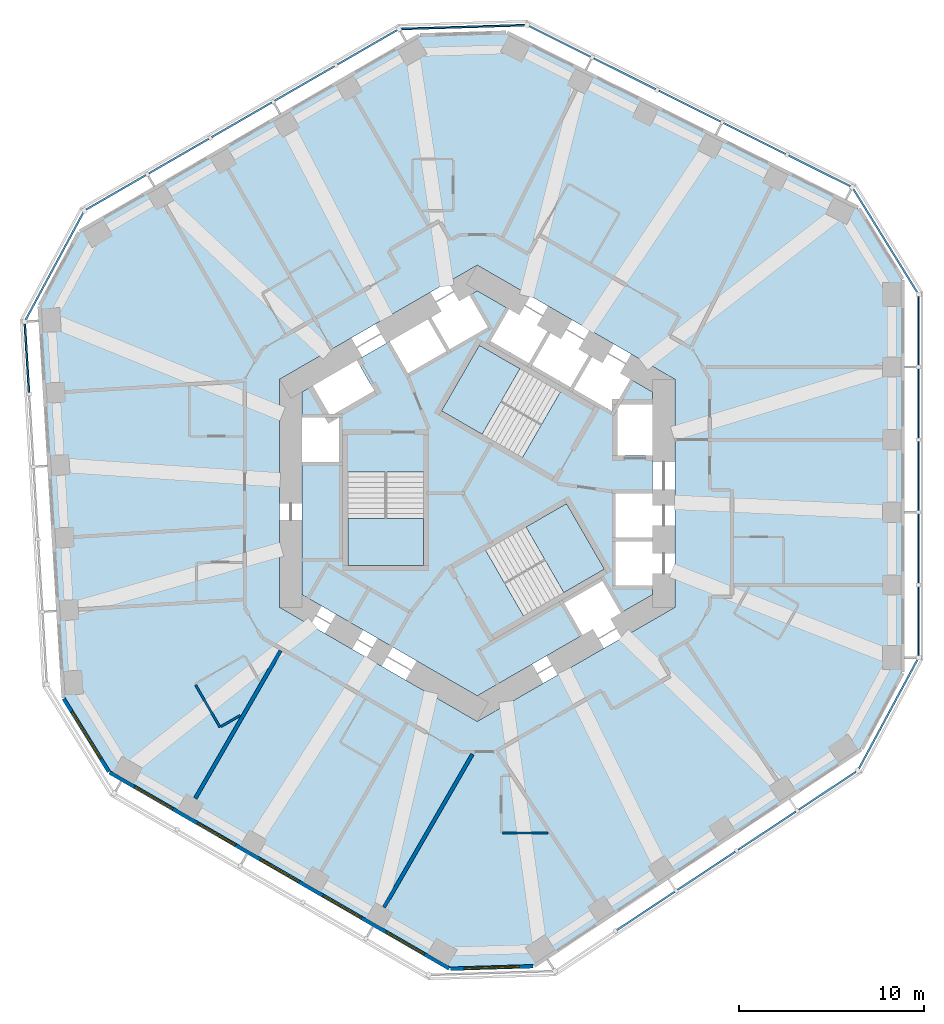
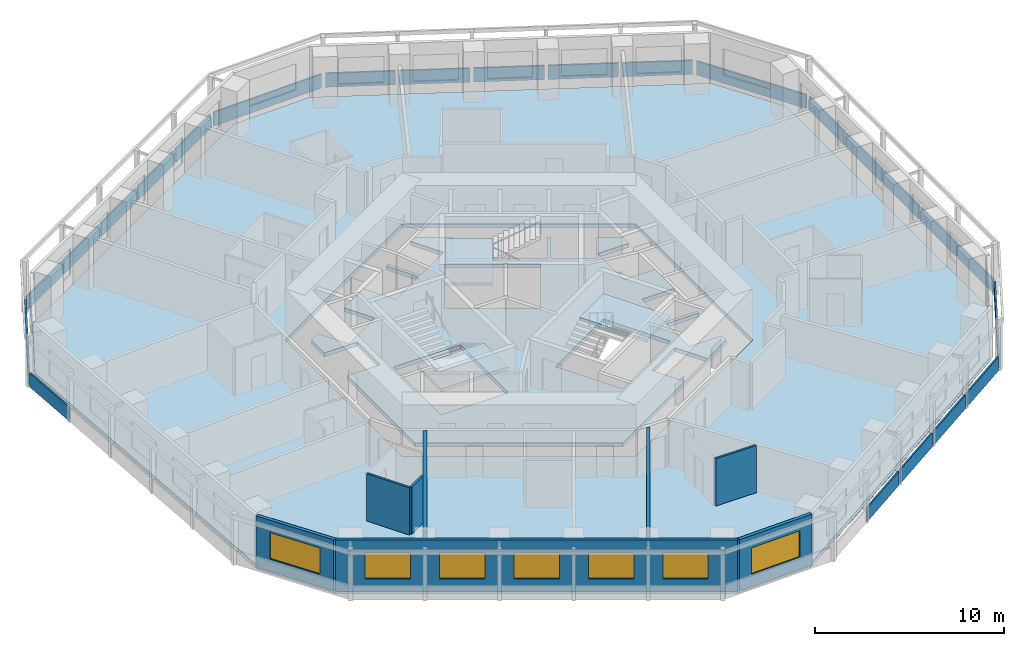
# One storey, part 3 of 12: 24 plates, 8 walls, 7 windows, 5 slabs, 7 openings, 12 elements without a shape of their own.
"""IFC4 building model written with IfcOpenShell, lengths in metres."""

from ifc_helpers import new_model, si_unit, direction, frame, frame_2d, origin, origin_2d, place, context, subcontext, project, spatial, polyline, rectangle, outline, extrude, material, layer, layer_set, type_object, element, fill, aggregate, save


model = new_model("IFC4")

# Units and contexts
model_context = context("Model", 3, precision=1e-05, world=origin(), true_north=direction((0.0, 1.0)))
body_context = subcontext(model_context, "Body", "Model", "MODEL_VIEW")
ifc_project = project(units=[si_unit("LENGTHUNIT", "METRE"), si_unit("AREAUNIT", "SQUARE_METRE"), si_unit("VOLUMEUNIT", "CUBIC_METRE"), si_unit("PLANEANGLEUNIT", "RADIAN"), si_unit("MASSUNIT", "GRAM", prefix="KILO")], contexts=[model_context])

# Site, building, storey
site_placement = place(None, origin())
site = spatial("IfcSite", under=ifc_project, at=site_placement, CompositionType="ELEMENT")
building_placement = place(site_placement, origin())
building = spatial("IfcBuilding", under=site, at=building_placement, Name="Vanh Sen Convention Tower", CompositionType="ELEMENT")
storey_placement = place(building_placement, frame((0.0, 0.0, 103.39990234375)))
storey = spatial("IfcBuildingStorey", under=building, at=storey_placement, Name="L24", CompositionType="ELEMENT", Elevation=103.39990234375)

# Slabs
ifc_material_1 = material(Name="Concrete C40/50", Category="concrete")
ifc_layer_1 = layer(ifc_material_1, 0.25)
ifc_layer_set_1 = layer_set([ifc_layer_1], Name="Concrete C40/50")
slab_type_1 = type_object("IfcSlabType", Name="Core slab 250", PredefinedType="FLOOR", material=ifc_layer_set_1)
slab_1_placement = place(storey_placement, frame((0.0, 0.0, -0.25)))
element("IfcSlab", 1, at=slab_1_placement, inside=storey, type_object=slab_type_1, Name="Core slab L24", PredefinedType="FLOOR", context=body_context, shape_type="SweptSolid", body=[
    extrude(outline(polyline([(9.5, 5.48486328125), (9.5, 4.800048828125), (7.60009765625, 4.800048828125), (7.60009765625, 2.050048828125), (9.5, 2.050048828125), (9.5, 0.0), (7.5, 0.0), (7.5, -2.39990234375), (9.5, -2.39990234375), (9.5, -2.60009765625), (7.5, -2.60009765625), (7.5, -5.0), (9.5, -5.0), (9.5, -5.48486328125), (0.0, -10.9697265625), (-9.5, -5.48486328125), (-9.5, 1.699951171875), (-7.5, 1.699951171875), (-7.5, 4.10009765625), (-9.5, 4.10009765625), (-9.5, 5.48486328125), (-8.906982421875, 5.8271484375), (-7.956787109375, 4.181884765625), (-5.575439453125, 5.556884765625), (-6.525390625, 7.2021484375), (-4.75, 8.227294921875), (-3.75, 6.4951171875), (-1.67138671875, 7.6953125), (-2.67138671875, 9.42724609375), (-2.498291015625, 9.527099609375), (-1.498291015625, 7.795166015625), (0.580078125, 8.9951171875), (-0.419921875, 10.727294921875), (0.0, 10.9697265625), (1.718994140625, 9.977294921875), (0.718994140625, 8.2451171875), (2.79736328125, 7.045166015625), (3.79736328125, 8.777099609375), (3.970703125, 8.67724609375), (2.970703125, 6.9453125), (5.049072265625, 5.7451171875), (6.049072265625, 7.477294921875), (6.22216796875, 7.377197265625), (5.22216796875, 5.645263671875), (7.30078125, 4.4453125), (8.30078125, 6.17724609375), (9.5, 5.48486328125)]), holes=[polyline([(-7.0, 3.14990234375), (-7.0, -3.909912109375), (-2.89990234375, -3.909912109375), (-2.89990234375, 3.14990234375), (-2.89990234375, 1.1494140625), (-7.0, 1.1494140625), (-7.0, 3.14990234375)]), polyline([(4.495361328125, 5.487548828125), (6.22802734375, 4.4873046875), (0.11376953125, 8.01708984375), (-1.936279296875, 4.466552734375), (2.4453125, 1.936767578125), (4.495361328125, 5.487548828125)]), polyline([(7.781005859375, -6.477294921875), (6.781005859375, -4.7451171875), (4.70263671875, -5.9453125), (5.70263671875, -7.67724609375), (7.781005859375, -6.477294921875)]), polyline([(0.45458984375, -3.086181640625), (2.504638671875, -6.63671875), (6.88623046875, -4.107177734375), (4.836181640625, -0.556396484375), (-1.278076171875, -4.08642578125), (0.45458984375, -3.086181640625)])]), origin(), (0.0, 0.0, 1.0), 0.25),
])
ifc_layer_2 = layer(ifc_material_1, 0.25)
ifc_layer_set_2 = layer_set([ifc_layer_2], Name="Concrete C40/50")
slab_type_2 = type_object("IfcSlabType", Name="Floor slab 250 REI 120", PredefinedType="FLOOR", material=ifc_layer_set_2)
slab_2_placement = place(storey_placement, frame((0.0, 0.0, -0.25)))
element("IfcSlab", 2, at=slab_2_placement, inside=storey, type_object=slab_type_2, Name="Floor slab L24 tower", PredefinedType="FLOOR", context=body_context, shape_type="SweptSolid", body=[
    extrude(outline(polyline([(23.0, -9.69921875), (23.0, 11.57373046875), (20.620361328125, 15.419189453125), (1.58251953125, 24.911376953125), (-3.10009765625, 24.768310546875), (-21.523193359375, 14.131591796875), (-23.663818359375, 10.14794921875), (-22.364990234375, -11.085205078125), (-19.89990234375, -15.069091796875), (-1.476806640625, -25.705322265625), (3.04345703125, -25.5673828125), (20.78271484375, -13.825927734375), (23.0, -9.69921875)]), holes=[polyline([(0.0, 12.355224609375), (-10.699951171875, 6.177490234375), (-10.699951171875, -6.177490234375), (0.0, -12.355224609375), (10.699951171875, -6.177490234375), (10.699951171875, 6.177490234375), (0.0, 12.355224609375)])]), origin(), (0.0, 0.0, 1.0), 0.25),
])

# Curtain wall, plates
ifc_material_2 = material(Name="Concrete C50/60", Category="concrete")
curtain_wall_type = type_object("IfcCurtainWallType", Name="Outer skin hotel zone", PredefinedType="NOTDEFINED", material=ifc_material_2)
curtain_wall_1_placement = place(storey_placement, origin())
curtain_wall_1 = element("IfcCurtainWall", 3, at=curtain_wall_1_placement, inside=storey, type_object=curtain_wall_type, Name="OUTER SKIN E L24", PredefinedType="NOTDEFINED")
ifc_layer_3 = layer(ifc_material_2, 0.10009765625)
ifc_layer_set_3 = layer_set([ifc_layer_3], Name="Concrete C50/60")
plate_type = type_object("IfcPlateType", Name="Outer skin precast screen panel 100", PredefinedType="CURTAIN_PANEL", material=ifc_layer_set_3)
plate_1_placement = place(storey_placement, frame((23.89990234375, -6.91943359375, 0.000244140625), z_axis=(0.0, 0.0, 1.0), x_axis=(0.0, 1.0, 0.0)))
plate_1 = element("IfcPlate", 4, at=plate_1_placement, type_object=plate_type, Name="OUTER SKIN screen panel E-1", PredefinedType="CURTAIN_PANEL", context=body_context, shape_type="SweptSolid", body=[
    extrude(rectangle(XDim=3.709716796875, YDim=0.10009765625, at=origin_2d()), origin(), (0.0, 0.0, 1.0), 0.89990234375),
])
plate_2_placement = place(storey_placement, frame((23.89990234375, -2.997314453125, 0.000244140625), z_axis=(0.0, 0.0, 1.0), x_axis=(0.0, 1.0, 0.0)))
plate_2 = element("IfcPlate", 5, at=plate_2_placement, type_object=plate_type, Name="OUTER SKIN screen panel E-2", PredefinedType="CURTAIN_PANEL", context=body_context, shape_type="SweptSolid", body=[
    extrude(rectangle(XDim=3.734619140625, YDim=0.10009765625, at=origin_2d()), origin(), (0.0, 0.0, 1.0), 0.89990234375),
])
plate_3_placement = place(storey_placement, frame((23.89990234375, 0.937255859375, 0.000244140625), z_axis=(0.0, 0.0, 1.0), x_axis=(0.0, 1.0, 0.0)))
plate_3 = element("IfcPlate", 6, at=plate_3_placement, type_object=plate_type, Name="OUTER SKIN screen panel E-3", PredefinedType="CURTAIN_PANEL", context=body_context, shape_type="SweptSolid", body=[
    extrude(rectangle(XDim=3.734619140625, YDim=0.10009765625, at=origin_2d()), origin(), (0.0, 0.0, 1.0), 0.89990234375),
])
plate_4_placement = place(storey_placement, frame((23.89990234375, 4.871826171875, 0.000244140625), z_axis=(0.0, 0.0, 1.0), x_axis=(0.0, 1.0, 0.0)))
plate_4 = element("IfcPlate", 7, at=plate_4_placement, type_object=plate_type, Name="OUTER SKIN screen panel E-4", PredefinedType="CURTAIN_PANEL", context=body_context, shape_type="SweptSolid", body=[
    extrude(rectangle(XDim=3.734619140625, YDim=0.10009765625, at=origin_2d()), origin(), (0.0, 0.0, 1.0), 0.89990234375),
])
plate_5_placement = place(storey_placement, frame((23.89990234375, 8.7939453125, 0.000244140625), z_axis=(0.0, 0.0, 1.0), x_axis=(0.0, 1.0, 0.0)))
plate_5 = element("IfcPlate", 8, at=plate_5_placement, type_object=plate_type, Name="OUTER SKIN screen panel E-5", PredefinedType="CURTAIN_PANEL", context=body_context, shape_type="SweptSolid", body=[
    extrude(rectangle(XDim=3.709716796875, YDim=0.10009765625, at=origin_2d()), origin(), (0.0, 0.0, 1.0), 0.89990234375),
])
aggregate(curtain_wall_1, [plate_1, plate_2, plate_3, plate_4, plate_5])

# Curtain wall, plate
curtain_wall_2_placement = place(storey_placement, origin())
curtain_wall_2 = element("IfcCurtainWall", 9, at=curtain_wall_2_placement, inside=storey, type_object=curtain_wall_type, Name="OUTER SKIN CH1 L24", PredefinedType="NOTDEFINED")
plate_6_placement = place(storey_placement, frame((22.102783203125, 13.677734375, 0.000244140625), z_axis=(0.0, 0.0, 1.0), x_axis=(-0.526212439506, 0.850353143411, 0.0)))
plate_6 = element("IfcPlate", 10, at=plate_6_placement, type_object=plate_type, Name="OUTER SKIN screen panel CH1-1", PredefinedType="CURTAIN_PANEL", context=body_context, shape_type="SweptSolid", body=[
    extrude(rectangle(XDim=6.580078125, YDim=0.10009765625, at=origin_2d()), origin(), (0.0, 0.0, 1.0), 0.89990234375),
])
aggregate(curtain_wall_2, [plate_6])

# Curtain wall, plates
curtain_wall_3_placement = place(storey_placement, origin())
curtain_wall_3 = element("IfcCurtainWall", 11, at=curtain_wall_3_placement, inside=storey, type_object=curtain_wall_type, Name="OUTER SKIN NE L24", PredefinedType="NOTDEFINED")
plate_7_placement = place(storey_placement, frame((18.5341796875, 17.465087890625, 0.000244140625), z_axis=(0.0, 0.0, 1.0), x_axis=(-0.894935140363, 0.446196251154, 0.0)))
plate_7 = element("IfcPlate", 12, at=plate_7_placement, type_object=plate_type, Name="OUTER SKIN screen panel NE-1", PredefinedType="CURTAIN_PANEL", context=body_context, shape_type="SweptSolid", body=[
    extrude(rectangle(XDim=3.709716796875, YDim=0.10009765625, at=origin_2d()), origin(), (0.0, 0.0, 1.0), 0.89990234375),
])
plate_8_placement = place(storey_placement, frame((15.024169921875, 19.215087890625, 0.000244140625), z_axis=(0.0, 0.0, 1.0), x_axis=(-0.894935140363, 0.446196251154, 0.0)))
plate_8 = element("IfcPlate", 13, at=plate_8_placement, type_object=plate_type, Name="OUTER SKIN screen panel NE-2", PredefinedType="CURTAIN_PANEL", context=body_context, shape_type="SweptSolid", body=[
    extrude(rectangle(XDim=3.734619140625, YDim=0.10009765625, at=origin_2d()), origin(), (0.0, 0.0, 1.0), 0.89990234375),
])
plate_9_placement = place(storey_placement, frame((11.5029296875, 20.970703125, 0.000244140625), z_axis=(0.0, 0.0, 1.0), x_axis=(-0.894935140363, 0.446196251154, 0.0)))
plate_9 = element("IfcPlate", 14, at=plate_9_placement, type_object=plate_type, Name="OUTER SKIN screen panel NE-3", PredefinedType="CURTAIN_PANEL", context=body_context, shape_type="SweptSolid", body=[
    extrude(rectangle(XDim=3.734619140625, YDim=0.10009765625, at=origin_2d()), origin(), (0.0, 0.0, 1.0), 0.89990234375),
])
plate_10_placement = place(storey_placement, frame((7.981689453125, 22.726318359375, 0.000244140625), z_axis=(0.0, 0.0, 1.0), x_axis=(-0.894935140363, 0.446196251154, 0.0)))
plate_10 = element("IfcPlate", 15, at=plate_10_placement, type_object=plate_type, Name="OUTER SKIN screen panel NE-4", PredefinedType="CURTAIN_PANEL", context=body_context, shape_type="SweptSolid", body=[
    extrude(rectangle(XDim=3.734619140625, YDim=0.10009765625, at=origin_2d()), origin(), (0.0, 0.0, 1.0), 0.89990234375),
])
plate_11_placement = place(storey_placement, frame((4.4716796875, 24.476318359375, 0.000244140625), z_axis=(0.0, 0.0, 1.0), x_axis=(-0.894935140363, 0.446196251154, 0.0)))
plate_11 = element("IfcPlate", 16, at=plate_11_placement, type_object=plate_type, Name="OUTER SKIN screen panel NE-5", PredefinedType="CURTAIN_PANEL", context=body_context, shape_type="SweptSolid", body=[
    extrude(rectangle(XDim=3.709716796875, YDim=0.10009765625, at=origin_2d()), origin(), (0.0, 0.0, 1.0), 0.89990234375),
])
aggregate(curtain_wall_3, [plate_7, plate_8, plate_9, plate_10, plate_11])

# Curtain wall, plate
curtain_wall_4_placement = place(storey_placement, origin())
curtain_wall_4 = element("IfcCurtainWall", 17, at=curtain_wall_4_placement, inside=storey, type_object=curtain_wall_type, Name="OUTER SKIN CH2 L24", PredefinedType="NOTDEFINED")
plate_12_placement = place(storey_placement, frame((-0.771484375, 25.253662109375, 0.000244140625), z_axis=(0.0, 0.0, 1.0), x_axis=(-0.999533644135, -0.030536768695, 0.0)))
plate_12 = element("IfcPlate", 18, at=plate_12_placement, type_object=plate_type, Name="OUTER SKIN screen panel CH2-1", PredefinedType="CURTAIN_PANEL", context=body_context, shape_type="SweptSolid", body=[
    extrude(rectangle(XDim=6.696044921875, YDim=0.10009765625, at=origin_2d()), origin(), (0.0, 0.0, 1.0), 0.89990234375),
])
aggregate(curtain_wall_4, [plate_12])

# Curtain wall, plates
curtain_wall_5_placement = place(storey_placement, origin())
curtain_wall_5 = element("IfcCurtainWall", 19, at=curtain_wall_5_placement, inside=storey, type_object=curtain_wall_type, Name="OUTER SKIN NW L24", PredefinedType="NOTDEFINED")
plate_13_placement = place(storey_placement, frame((-5.95751953125, 24.15771484375, 0.000244140625), z_axis=(0.0, 0.0, 1.0), x_axis=(-0.866028021766, -0.499995465495, 0.0)))
plate_13 = element("IfcPlate", 20, at=plate_13_placement, type_object=plate_type, Name="OUTER SKIN screen panel NW-1", PredefinedType="CURTAIN_PANEL", context=body_context, shape_type="SweptSolid", body=[
    extrude(rectangle(XDim=3.709716796875, YDim=0.10009765625, at=origin_2d()), origin(), (0.0, 0.0, 1.0), 0.89990234375),
])
plate_14_placement = place(storey_placement, frame((-9.354248046875, 22.19677734375, 0.000244140625), z_axis=(0.0, 0.0, 1.0), x_axis=(-0.866021040428, -0.500007557478, 0.0)))
plate_14 = element("IfcPlate", 21, at=plate_14_placement, type_object=plate_type, Name="OUTER SKIN screen panel NW-2", PredefinedType="CURTAIN_PANEL", context=body_context, shape_type="SweptSolid", body=[
    extrude(rectangle(XDim=3.734619140625, YDim=0.10009765625, at=origin_2d()), origin(), (0.0, 0.0, 1.0), 0.89990234375),
])
plate_15_placement = place(storey_placement, frame((-12.76171875, 20.2294921875, 0.000244140625), z_axis=(0.0, 0.0, 1.0), x_axis=(-0.866028021766, -0.499995465495, 0.0)))
plate_15 = element("IfcPlate", 22, at=plate_15_placement, type_object=plate_type, Name="OUTER SKIN screen panel NW-3", PredefinedType="CURTAIN_PANEL", context=body_context, shape_type="SweptSolid", body=[
    extrude(rectangle(XDim=3.734619140625, YDim=0.10009765625, at=origin_2d()), origin(), (0.0, 0.0, 1.0), 0.89990234375),
])
plate_16_placement = place(storey_placement, frame((-16.169189453125, 18.26220703125, 0.000244140625), z_axis=(0.0, 0.0, 1.0), x_axis=(-0.866028021766, -0.499995465495, 0.0)))
plate_16 = element("IfcPlate", 23, at=plate_16_placement, type_object=plate_type, Name="OUTER SKIN screen panel NW-4", PredefinedType="CURTAIN_PANEL", context=body_context, shape_type="SweptSolid", body=[
    extrude(rectangle(XDim=3.734619140625, YDim=0.10009765625, at=origin_2d()), origin(), (0.0, 0.0, 1.0), 0.89990234375),
])
plate_17_placement = place(storey_placement, frame((-19.56591796875, 16.301025390625, 0.000244140625), z_axis=(0.0, 0.0, 1.0), x_axis=(-0.866021040428, -0.500007557478, 0.0)))
plate_17 = element("IfcPlate", 24, at=plate_17_placement, type_object=plate_type, Name="OUTER SKIN screen panel NW-5", PredefinedType="CURTAIN_PANEL", context=body_context, shape_type="SweptSolid", body=[
    extrude(rectangle(XDim=3.70947265625, YDim=0.10009765625, at=origin_2d()), origin(), (0.0, 0.0, 1.0), 0.89990234375),
])
aggregate(curtain_wall_5, [plate_13, plate_14, plate_15, plate_16, plate_17])

# Curtain wall, plate
curtain_wall_6_placement = place(storey_placement, origin())
curtain_wall_6 = element("IfcCurtainWall", 25, at=curtain_wall_6_placement, inside=storey, type_object=curtain_wall_type, Name="OUTER SKIN CH3 L24", PredefinedType="NOTDEFINED")
plate_18_placement = place(storey_placement, frame((-22.896728515625, 12.302978515625, 0.000244140625), z_axis=(0.0, 0.0, 1.0), x_axis=(-0.47331812974, -0.880891564303, 0.0)))
plate_18 = element("IfcPlate", 26, at=plate_18_placement, type_object=plate_type, Name="OUTER SKIN screen panel CH3-1", PredefinedType="CURTAIN_PANEL", context=body_context, shape_type="SweptSolid", body=[
    extrude(rectangle(XDim=6.580078125, YDim=0.10009765625, at=origin_2d()), origin(), (0.0, 0.0, 1.0), 0.89990234375),
])
aggregate(curtain_wall_6, [plate_18])

curtain_wall_7_placement = place(storey_placement, origin())
curtain_wall_7 = element("IfcCurtainWall", 27, at=curtain_wall_7_placement, inside=storey, type_object=curtain_wall_type, Name="OUTER SKIN W L24", PredefinedType="NOTDEFINED")
plate_19_placement = place(storey_placement, frame((-24.39208984375, 7.318603515625, 0.000244140625), z_axis=(0.0, 0.0, 1.0), x_axis=(0.061046797461, -0.99813490497, 0.0)))
plate_19 = element("IfcPlate", 28, at=plate_19_placement, type_object=plate_type, Name="OUTER SKIN screen panel W-1", PredefinedType="CURTAIN_PANEL", context=body_context, shape_type="SweptSolid", body=[
    extrude(rectangle(XDim=3.709716796875, YDim=0.10009765625, at=origin_2d()), origin(), (0.0, 0.0, 1.0), 0.89990234375),
])
aggregate(curtain_wall_7, [plate_19])

# Curtain wall, plates
curtain_wall_8_placement = place(storey_placement, origin())
curtain_wall_8 = element("IfcCurtainWall", 29, at=curtain_wall_8_placement, inside=storey, type_object=curtain_wall_type, Name="OUTER SKIN SE L24", PredefinedType="NOTDEFINED")
plate_20_placement = place(storey_placement, frame((9.128662109375, -22.618896484375, 0.000244140625), z_axis=(0.0, 0.0, 1.0), x_axis=(0.833891601892, 0.55192825285, 0.0)))
plate_20 = element("IfcPlate", 30, at=plate_20_placement, type_object=plate_type, Name="OUTER SKIN screen panel SE-2", PredefinedType="CURTAIN_PANEL", context=body_context, shape_type="SweptSolid", body=[
    extrude(rectangle(XDim=3.734619140625, YDim=0.10009765625, at=origin_2d()), origin(), (0.0, 0.0, 1.0), 0.89990234375),
])
plate_21_placement = place(storey_placement, frame((12.40966796875, -20.447265625, 0.000244140625), z_axis=(0.0, 0.0, 1.0), x_axis=(0.833880042151, 0.551945717714, 0.0)))
plate_21 = element("IfcPlate", 31, at=plate_21_placement, type_object=plate_type, Name="OUTER SKIN screen panel SE-3", PredefinedType="CURTAIN_PANEL", context=body_context, shape_type="SweptSolid", body=[
    extrude(rectangle(XDim=3.734619140625, YDim=0.10009765625, at=origin_2d()), origin(), (0.0, 0.0, 1.0), 0.89990234375),
])
plate_22_placement = place(storey_placement, frame((15.690673828125, -18.275390625, 0.000244140625), z_axis=(0.0, 0.0, 1.0), x_axis=(0.833891601892, 0.55192825285, 0.0)))
plate_22 = element("IfcPlate", 32, at=plate_22_placement, type_object=plate_type, Name="OUTER SKIN screen panel SE-4", PredefinedType="CURTAIN_PANEL", context=body_context, shape_type="SweptSolid", body=[
    extrude(rectangle(XDim=3.734619140625, YDim=0.10009765625, at=origin_2d()), origin(), (0.0, 0.0, 1.0), 0.89990234375),
])
plate_23_placement = place(storey_placement, frame((18.961181640625, -16.11083984375, 0.000244140625), z_axis=(0.0, 0.0, 1.0), x_axis=(0.833880042151, 0.551945717714, 0.0)))
plate_23 = element("IfcPlate", 33, at=plate_23_placement, type_object=plate_type, Name="OUTER SKIN screen panel SE-5", PredefinedType="CURTAIN_PANEL", context=body_context, shape_type="SweptSolid", body=[
    extrude(rectangle(XDim=3.709716796875, YDim=0.10009765625, at=origin_2d()), origin(), (0.0, 0.0, 1.0), 0.89990234375),
])
aggregate(curtain_wall_8, [plate_20, plate_21, plate_22, plate_23])

# Curtain wall, plate
curtain_wall_9_placement = place(storey_placement, origin())
curtain_wall_9 = element("IfcCurtainWall", 34, at=curtain_wall_9_placement, inside=storey, type_object=curtain_wall_type, Name="OUTER SKIN CH6 L24", PredefinedType="NOTDEFINED")
plate_24_placement = place(storey_placement, frame((22.256103515625, -11.95849609375, 0.000244140625), z_axis=(0.0, 0.0, 1.0), x_axis=(0.473322742071, 0.880889086003, 0.0)))
plate_24 = element("IfcPlate", 35, at=plate_24_placement, type_object=plate_type, Name="OUTER SKIN screen panel CH6-1", PredefinedType="CURTAIN_PANEL", context=body_context, shape_type="SweptSolid", body=[
    extrude(rectangle(XDim=6.6962890625, YDim=0.10009765625, at=origin_2d()), origin(), (0.0, 0.0, 1.0), 0.89990234375),
])
aggregate(curtain_wall_9, [plate_24])

# Stair, slab
ifc_material_3 = material(Name="Concrete C50/60", Category="concrete")
stair_type_1 = type_object("IfcStairType", Name="Exit stair ST1 20 risers at 165.0", PredefinedType="HALF_TURN_STAIR", material=ifc_material_3)
stair_1_placement = place(storey_placement, origin())
stair_1 = element("IfcStair", 36, at=stair_1_placement, inside=storey, type_object=stair_type_1, Name="Exit stair ST1 L24", PredefinedType="HALF_TURN_STAIR")
ifc_layer_4 = layer(ifc_material_1, 0.199951171875)
ifc_layer_set_4 = layer_set([ifc_layer_4], Name="Concrete C40/50")
slab_type_3 = type_object("IfcSlabType", Name="Stair landing 200", PredefinedType="LANDING", material=ifc_layer_set_4)
slab_3_placement = place(storey_placement, frame((0.0, 0.0, 1.4501953125)))
slab_3 = element("IfcSlab", 37, at=slab_3_placement, type_object=slab_type_3, Name="ST1 landing 1", PredefinedType="LANDING", context=body_context, shape_type="SweptSolid", body=[
    extrude(outline(polyline([(2.314208984375, 6.746826171875), (0.11376953125, 8.01708984375), (-1.936279296875, 4.466552734375), (0.26416015625, 3.196044921875), (2.314208984375, 6.746826171875)])), origin(), (0.0, 0.0, 1.0), 0.199951171875),
])
aggregate(stair_1, [slab_3])

stair_type_2 = type_object("IfcStairType", Name="Exit stair ST2 20 risers at 165.0", PredefinedType="HALF_TURN_STAIR", material=ifc_material_3)
stair_2_placement = place(storey_placement, origin())
stair_2 = element("IfcStair", 38, at=stair_2_placement, inside=storey, type_object=stair_type_2, Name="Exit stair ST2 L24", PredefinedType="HALF_TURN_STAIR")
slab_4_placement = place(storey_placement, frame((0.0, 0.0, 1.4501953125)))
slab_4 = element("IfcSlab", 39, at=slab_4_placement, type_object=slab_type_3, Name="ST2 landing 1", PredefinedType="LANDING", context=body_context, shape_type="SweptSolid", body=[
    extrude(outline(polyline([(-7.0, -1.369384765625), (-7.0, -3.909912109375), (-2.89990234375, -3.909912109375), (-2.89990234375, -1.369384765625), (-7.0, -1.369384765625)])), origin(), (0.0, 0.0, 1.0), 0.199951171875),
])
aggregate(stair_2, [slab_4])

stair_type_3 = type_object("IfcStairType", Name="Exit stair ST3 20 risers at 165.0", PredefinedType="HALF_TURN_STAIR", material=ifc_material_3)
stair_3_placement = place(storey_placement, origin())
stair_3 = element("IfcStair", 40, at=stair_3_placement, inside=storey, type_object=stair_type_3, Name="Exit stair ST3 L24", PredefinedType="HALF_TURN_STAIR")
slab_5_placement = place(storey_placement, frame((0.0, 0.0, 1.4501953125)))
slab_5 = element("IfcSlab", 41, at=slab_5_placement, type_object=slab_type_3, Name="ST3 landing 1", PredefinedType="LANDING", context=body_context, shape_type="SweptSolid", body=[
    extrude(outline(polyline([(4.685791015625, -5.37744140625), (6.88623046875, -4.107177734375), (4.836181640625, -0.556396484375), (2.6357421875, -1.826904296875), (4.685791015625, -5.37744140625)])), origin(), (0.0, 0.0, 1.0), 0.199951171875),
])
aggregate(stair_3, [slab_5])

# Walls
ifc_material_4 = material(Name="Moisture-resistant gypsum board on steel studs", Category="steel")
ifc_layer_5 = layer(ifc_material_4, 0.1201171875)
ifc_layer_set_5 = layer_set([ifc_layer_5], Name="Moisture-resistant gypsum board on steel studs")
wall_type_1 = type_object("IfcWallType", Name="Bathroom partition 120", PredefinedType="PARTITIONING", material=ifc_layer_set_5)
wall_1_placement = place(storey_placement, frame((-13.935546875, -12.66455078125, 0.0), z_axis=(0.0, 0.0, 1.0), x_axis=(-0.500007957085, 0.86602080971, 0.0)))
element("IfcWall", 42, at=wall_1_placement, inside=storey, type_object=wall_type_1, Name="Bathroom partition 120", PredefinedType="PARTITIONING", context=body_context, shape_type="SweptSolid", body=[
    extrude(rectangle(XDim=2.64013671875, YDim=0.1201171875, at=frame_2d((1.320068359375, 0.0))), origin(), (0.0, 0.0, 1.0), 3.050048828125),
])
wall_2_placement = place(storey_placement, frame((-12.841552734375, -12.03271484375, 0.0), z_axis=(0.0, 0.0, 1.0), x_axis=(-0.865949042838, -0.500132237721, 0.0)))
element("IfcWall", 43, at=wall_2_placement, inside=storey, type_object=wall_type_1, Name="Bathroom partition 120", PredefinedType="PARTITIONING", context=body_context, shape_type="SweptSolid", body=[
    extrude(rectangle(XDim=1.203369140625, YDim=0.1201171875, at=frame_2d((0.6015625, 0.0))), origin(), (0.0, 0.0, 1.0), 3.050048828125),
])
wall_3_placement = place(storey_placement, frame((3.82763671875, -18.400634765625, 0.0), z_axis=(0.0, 0.0, 1.0), x_axis=(-1.0, 0.0, 0.0)))
element("IfcWall", 44, at=wall_3_placement, inside=storey, type_object=wall_type_1, Name="Bathroom partition 120", PredefinedType="PARTITIONING", context=body_context, shape_type="SweptSolid", body=[
    extrude(rectangle(XDim=2.467529296875, YDim=0.1201171875, at=frame_2d((1.23388671875, 0.0))), origin(), (0.0, 0.0, 1.0), 3.050048828125),
])

# Wall, opening, window
ifc_material_5 = material(Name="Insulated lightweight infill wall")
ifc_layer_6 = layer(ifc_material_5, 0.199951171875)
ifc_layer_set_6 = layer_set([ifc_layer_6], Name="Insulated lightweight infill wall")
wall_type_2 = type_object("IfcWallType", Name="External wall 200", PredefinedType="STANDARD", material=ifc_layer_set_6)
wall_4_placement = place(storey_placement, frame((-22.40087890625, -11.122314453125, 0.0), z_axis=(0.0, 0.0, 1.0), x_axis=(0.526197679914, -0.850362276711, 0.0)))
wall_4 = element("IfcWall", 45, at=wall_4_placement, inside=storey, type_object=wall_type_2, Name="External wall CH4 L24", PredefinedType="STANDARD", context=body_context, shape_type="SweptSolid", body=[
    extrude(rectangle(XDim=4.65966796875, YDim=0.199951171875, at=frame_2d((2.329833984375, 0.0))), origin(), (0.0, 0.0, 1.0), 3.300048828125),
])
opening_1_placement = place(wall_4_placement, frame((0.829833984375, 0.0, 0.800048828125)))
opening_1 = element("IfcOpeningElement", 46, at=opening_1_placement, cuts=wall_4, Name="Opening WH2-CH41", PredefinedType="OPENING", context=body_context, shape_type="SweptSolid", body=[
    extrude(rectangle(XDim=3.0, YDim=1.699951171875, at=frame_2d((1.5, 0.85009765625))), frame((0.0, 0.10986328125, 0.0), z_axis=(0.0, -1.0, 0.0), x_axis=(1.0, 0.0, 0.0)), (0.0, 0.0, 1.0), 0.219970703125),
])
ifc_material_6 = material(Name="Aluminium frame with clear low-emissivity glass", Category="aluminium")
window_type_1 = type_object("IfcWindowType", Name="Hotel window 3000 x 1700", PartitioningType="SINGLE_PANEL", PredefinedType="WINDOW", material=ifc_material_6)
window_1_placement = place(opening_1_placement, origin())
window_1 = element("IfcWindow", 47, at=window_1_placement, inside=storey, type_object=window_type_1, Name="Window WH2-CH41", OverallHeight=1.699951171875, OverallWidth=3.0, PartitioningType="SINGLE_PANEL", PredefinedType="WINDOW", context=body_context, shape_type="SweptSolid", body=[
    extrude(rectangle(XDim=3.0, YDim=1.699951171875, at=frame_2d((1.5, 0.85009765625))), frame((0.0, 0.030029296875, 0.0), z_axis=(0.0, -1.0, 0.0), x_axis=(1.0, 0.0, 0.0)), (0.0, 0.0, 1.0), 0.06005859375),
])
fill(opening_1, window_1)

# Wall, openings, windows
wall_5_placement = place(storey_placement, frame((-19.913818359375, -15.11865234375, 0.0), z_axis=(0.0, 0.0, 1.0), x_axis=(0.866025418898, -0.499999973822, 0.0)))
wall_5 = element("IfcWall", 48, at=wall_5_placement, inside=storey, type_object=wall_type_2, Name="External wall SW L24", PredefinedType="STANDARD", context=body_context, shape_type="SweptSolid", body=[
    extrude(rectangle(XDim=21.24609375, YDim=0.199951171875, at=frame_2d((10.623046875, 0.0))), origin(), (0.0, 0.0, 1.0), 3.300048828125),
])
opening_2_placement = place(wall_5_placement, frame((1.5546875, 0.0, 0.800048828125)))
opening_2 = element("IfcOpeningElement", 49, at=opening_2_placement, cuts=wall_5, Name="Opening WH1-SW1", PredefinedType="OPENING", context=body_context, shape_type="SweptSolid", body=[
    extrude(rectangle(XDim=2.39990234375, YDim=1.699951171875, at=frame_2d((1.199951171875, 0.85009765625))), frame((0.0, 0.10986328125, 0.0), z_axis=(0.0, -1.0, 0.0), x_axis=(1.0, 0.0, 0.0)), (0.0, 0.0, 1.0), 0.219970703125),
])
opening_3_placement = place(wall_5_placement, frame((5.4892578125, 0.0, 0.800048828125)))
opening_3 = element("IfcOpeningElement", 50, at=opening_3_placement, cuts=wall_5, Name="Opening WH1-SW2", PredefinedType="OPENING", context=body_context, shape_type="SweptSolid", body=[
    extrude(rectangle(XDim=2.39990234375, YDim=1.699951171875, at=frame_2d((1.199951171875, 0.85009765625))), frame((0.0, 0.10986328125, 0.0), z_axis=(0.0, -1.0, 0.0), x_axis=(1.0, 0.0, 0.0)), (0.0, 0.0, 1.0), 0.219970703125),
])
opening_4_placement = place(wall_5_placement, frame((9.423828125, 0.0, 0.800048828125)))
opening_4 = element("IfcOpeningElement", 51, at=opening_4_placement, cuts=wall_5, Name="Opening WH1-SW3", PredefinedType="OPENING", context=body_context, shape_type="SweptSolid", body=[
    extrude(rectangle(XDim=2.39990234375, YDim=1.699951171875, at=frame_2d((1.199951171875, 0.85009765625))), frame((0.0, 0.10986328125, 0.0), z_axis=(0.0, -1.0, 0.0), x_axis=(1.0, 0.0, 0.0)), (0.0, 0.0, 1.0), 0.219970703125),
])
opening_5_placement = place(wall_5_placement, frame((13.3583984375, 0.0, 0.800048828125)))
opening_5 = element("IfcOpeningElement", 52, at=opening_5_placement, cuts=wall_5, Name="Opening WH1-SW4", PredefinedType="OPENING", context=body_context, shape_type="SweptSolid", body=[
    extrude(rectangle(XDim=2.39990234375, YDim=1.699951171875, at=frame_2d((1.199951171875, 0.85009765625))), frame((0.0, 0.10986328125, 0.0), z_axis=(0.0, -1.0, 0.0), x_axis=(1.0, 0.0, 0.0)), (0.0, 0.0, 1.0), 0.219970703125),
])
opening_6_placement = place(wall_5_placement, frame((17.293212890625, 0.0, 0.800048828125)))
opening_6 = element("IfcOpeningElement", 53, at=opening_6_placement, cuts=wall_5, Name="Opening WH1-SW5", PredefinedType="OPENING", context=body_context, shape_type="SweptSolid", body=[
    extrude(rectangle(XDim=2.39990234375, YDim=1.699951171875, at=frame_2d((1.199951171875, 0.85009765625))), frame((0.0, 0.10986328125, 0.0), z_axis=(0.0, -1.0, 0.0), x_axis=(1.0, 0.0, 0.0)), (0.0, 0.0, 1.0), 0.219970703125),
])
window_type_2 = type_object("IfcWindowType", Name="Hotel window 2400 x 1700", PartitioningType="SINGLE_PANEL", PredefinedType="WINDOW", material=ifc_material_6)
window_2_placement = place(opening_2_placement, origin())
window_2 = element("IfcWindow", 54, at=window_2_placement, inside=storey, type_object=window_type_2, Name="Window WH1-SW1", OverallHeight=1.699951171875, OverallWidth=2.39990234375, PartitioningType="SINGLE_PANEL", PredefinedType="WINDOW", context=body_context, shape_type="SweptSolid", body=[
    extrude(rectangle(XDim=2.39990234375, YDim=1.699951171875, at=frame_2d((1.199951171875, 0.85009765625))), frame((0.0, 0.030029296875, 0.0), z_axis=(0.0, -1.0, 0.0), x_axis=(1.0, 0.0, 0.0)), (0.0, 0.0, 1.0), 0.06005859375),
])
fill(opening_2, window_2)
window_3_placement = place(opening_3_placement, origin())
window_3 = element("IfcWindow", 55, at=window_3_placement, inside=storey, type_object=window_type_2, Name="Window WH1-SW2", OverallHeight=1.699951171875, OverallWidth=2.39990234375, PartitioningType="SINGLE_PANEL", PredefinedType="WINDOW", context=body_context, shape_type="SweptSolid", body=[
    extrude(rectangle(XDim=2.39990234375, YDim=1.699951171875, at=frame_2d((1.199951171875, 0.85009765625))), frame((0.0, 0.030029296875, 0.0), z_axis=(0.0, -1.0, 0.0), x_axis=(1.0, 0.0, 0.0)), (0.0, 0.0, 1.0), 0.06005859375),
])
fill(opening_3, window_3)
window_4_placement = place(opening_4_placement, origin())
window_4 = element("IfcWindow", 56, at=window_4_placement, inside=storey, type_object=window_type_2, Name="Window WH1-SW3", OverallHeight=1.699951171875, OverallWidth=2.39990234375, PartitioningType="SINGLE_PANEL", PredefinedType="WINDOW", context=body_context, shape_type="SweptSolid", body=[
    extrude(rectangle(XDim=2.39990234375, YDim=1.699951171875, at=frame_2d((1.199951171875, 0.85009765625))), frame((0.0, 0.030029296875, 0.0), z_axis=(0.0, -1.0, 0.0), x_axis=(1.0, 0.0, 0.0)), (0.0, 0.0, 1.0), 0.06005859375),
])
fill(opening_4, window_4)
window_5_placement = place(opening_5_placement, origin())
window_5 = element("IfcWindow", 57, at=window_5_placement, inside=storey, type_object=window_type_2, Name="Window WH1-SW4", OverallHeight=1.699951171875, OverallWidth=2.39990234375, PartitioningType="SINGLE_PANEL", PredefinedType="WINDOW", context=body_context, shape_type="SweptSolid", body=[
    extrude(rectangle(XDim=2.39990234375, YDim=1.699951171875, at=frame_2d((1.199951171875, 0.85009765625))), frame((0.0, 0.030029296875, 0.0), z_axis=(0.0, -1.0, 0.0), x_axis=(1.0, 0.0, 0.0)), (0.0, 0.0, 1.0), 0.06005859375),
])
fill(opening_5, window_5)
window_6_placement = place(opening_6_placement, origin())
window_6 = element("IfcWindow", 58, at=window_6_placement, inside=storey, type_object=window_type_2, Name="Window WH1-SW5", OverallHeight=1.699951171875, OverallWidth=2.39990234375, PartitioningType="SINGLE_PANEL", PredefinedType="WINDOW", context=body_context, shape_type="SweptSolid", body=[
    extrude(rectangle(XDim=2.39990234375, YDim=1.699951171875, at=frame_2d((1.199951171875, 0.85009765625))), frame((0.0, 0.030029296875, 0.0), z_axis=(0.0, -1.0, 0.0), x_axis=(1.0, 0.0, 0.0)), (0.0, 0.0, 1.0), 0.06005859375),
])
fill(opening_6, window_6)

# Wall, opening, window
wall_6_placement = place(storey_placement, frame((-1.461181640625, -25.7548828125, 0.0), z_axis=(0.0, 0.0, 1.0), x_axis=(0.999533823446, 0.030530898895, 0.0)))
wall_6 = element("IfcWall", 59, at=wall_6_placement, inside=storey, type_object=wall_type_2, Name="External wall CH5 L24", PredefinedType="STANDARD", context=body_context, shape_type="SweptSolid", body=[
    extrude(rectangle(XDim=4.494140625, YDim=0.199951171875, at=frame_2d((2.2470703125, 0.0))), origin(), (0.0, 0.0, 1.0), 3.300048828125),
])
opening_7_placement = place(wall_6_placement, frame((0.7470703125, 0.0, 0.800048828125)))
opening_7 = element("IfcOpeningElement", 60, at=opening_7_placement, cuts=wall_6, Name="Opening WH2-CH51", PredefinedType="OPENING", context=body_context, shape_type="SweptSolid", body=[
    extrude(rectangle(XDim=3.0, YDim=1.699951171875, at=frame_2d((1.5, 0.85009765625))), frame((0.0, 0.10986328125, 0.0), z_axis=(0.0, -1.0, 0.0), x_axis=(1.0, 0.0, 0.0)), (0.0, 0.0, 1.0), 0.219970703125),
])
window_7_placement = place(opening_7_placement, origin())
window_7 = element("IfcWindow", 61, at=window_7_placement, inside=storey, type_object=window_type_1, Name="Window WH2-CH51", OverallHeight=1.699951171875, OverallWidth=3.0, PartitioningType="SINGLE_PANEL", PredefinedType="WINDOW", context=body_context, shape_type="SweptSolid", body=[
    extrude(rectangle(XDim=3.0, YDim=1.699951171875, at=frame_2d((1.5, 0.85009765625))), frame((0.0, 0.030029296875, 0.0), z_axis=(0.0, -1.0, 0.0), x_axis=(1.0, 0.0, 0.0)), (0.0, 0.0, 1.0), 0.06005859375),
])
fill(opening_7, window_7)

# Walls
ifc_material_7 = material(Name="Gypsum board on steel studs with mineral wool", Category="steel")
ifc_layer_7 = layer(ifc_material_7, 0.199951171875)
ifc_layer_set_7 = layer_set([ifc_layer_7], Name="Gypsum board on steel studs with mineral wool")
wall_type_3 = type_object("IfcWallType", Name="Hotel party wall 200", PredefinedType="PARTITIONING", material=ifc_layer_set_7)
wall_7_placement = place(storey_placement, frame((-15.2744140625, -16.527099609375, 0.0), z_axis=(0.0, 0.0, 1.0), x_axis=(0.49998823431, 0.866032196602, 0.0)))
element("IfcWall", 62, at=wall_7_placement, inside=storey, type_object=wall_type_3, Name="Hotel party wall 200", PredefinedType="PARTITIONING", context=body_context, shape_type="SweptSolid", body=[
    extrude(rectangle(XDim=9.250244140625, YDim=0.199951171875, at=frame_2d((4.625, 0.0))), origin(), (0.0, 0.0, 1.0), 3.050048828125),
])
wall_8_placement = place(storey_placement, frame((-5.052001953125, -22.4287109375, 0.0), z_axis=(0.0, 0.0, 1.0), x_axis=(0.500004329283, 0.866022904257, 0.0)))
element("IfcWall", 63, at=wall_8_placement, inside=storey, type_object=wall_type_3, Name="Hotel party wall 200", PredefinedType="PARTITIONING", context=body_context, shape_type="SweptSolid", body=[
    extrude(rectangle(XDim=9.57177734375, YDim=0.199951171875, at=frame_2d((4.785888671875, 0.0))), origin(), (0.0, 0.0, 1.0), 3.050048828125),
])

save(model, "model.ifc")
